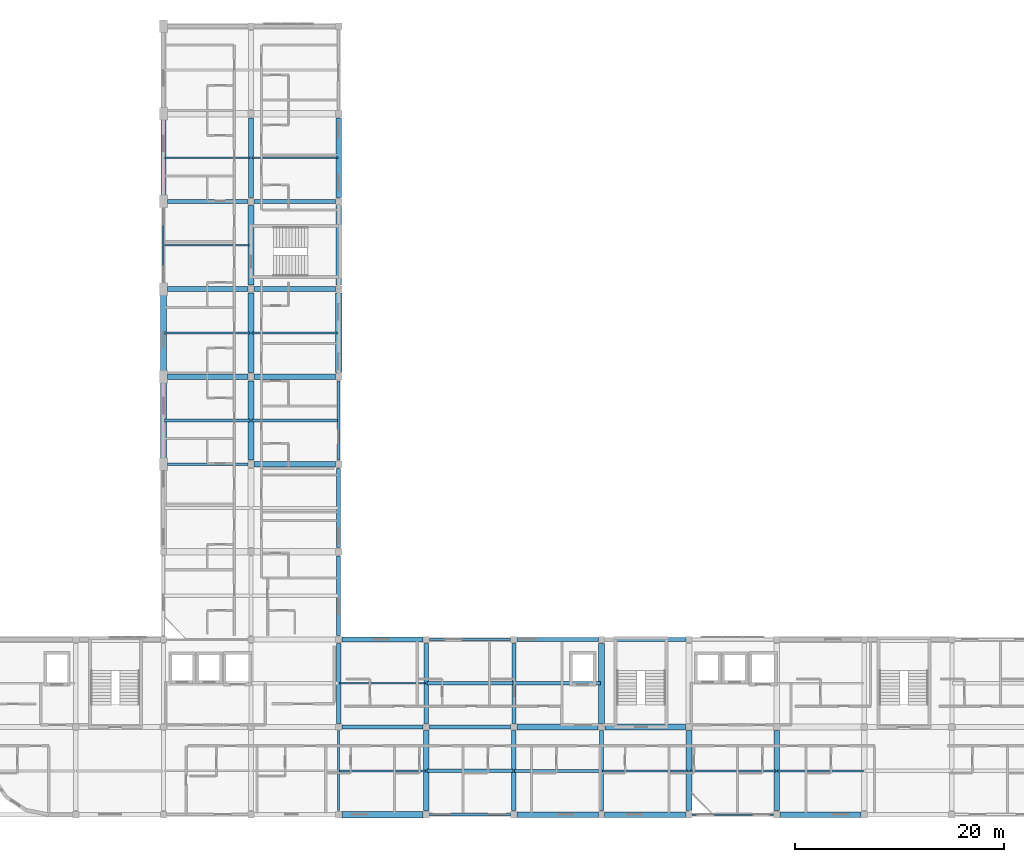
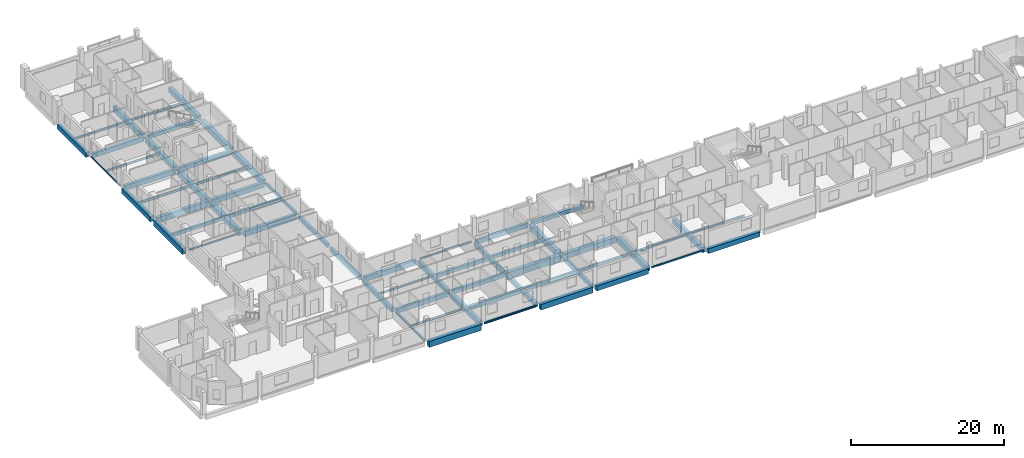
# One storey, part 3 of 25: 62 beams.
"""IFC4 building model written with IfcOpenShell, lengths in metres."""

from ifc_helpers import new_model, si_unit, derived_unit, direction, frame, origin, origin_2d, place, context, subcontext, project, spatial, rectangle, hollow_rectangle, i_section, extrude, material, material_profile, profile_set, type_object, element, save


model = new_model("IFC4")

# Units and contexts
model_context = context("Model", 3, precision=1e-05, world=origin(), true_north=direction((0.0, 1.0)))
body_context = subcontext(model_context, "Body", "Model", "MODEL_VIEW")
ifc_project = project(units=[si_unit("LENGTHUNIT", "METRE"), si_unit("AREAUNIT", "SQUARE_METRE"), si_unit("VOLUMEUNIT", "CUBIC_METRE"), si_unit("PLANEANGLEUNIT", "RADIAN"), si_unit("MASSUNIT", "GRAM", prefix="KILO"), derived_unit("THERMALTRANSMITTANCEUNIT", [(si_unit("POWERUNIT", "WATT"), 1), (si_unit("LENGTHUNIT", "METRE"), -2), (si_unit("THERMODYNAMICTEMPERATUREUNIT", "KELVIN"), -1)])], contexts=[model_context])

# Site, building, storey
site_placement = place(None, origin())
site = spatial("IfcSite", under=ifc_project, at=site_placement, CompositionType="ELEMENT")
building_placement = place(site_placement, origin())
building = spatial("IfcBuilding", under=site, at=building_placement, Name="Barrovel Congress Hotel", CompositionType="ELEMENT")
storey_placement = place(building_placement, frame((0.0, 0.0, 25.5)))
storey = spatial("IfcBuildingStorey", under=building, at=storey_placement, Name="L06", CompositionType="ELEMENT", Elevation=25.5)

# Beams
ifc_material_1 = material(Name="Concrete C40", Category="concrete")
ifc_material_profile_1 = material_profile(ifc_material_1, rectangle(XDim=0.25, YDim=0.5, at=origin_2d()), Name="RC250x500")
ifc_profile_set_1 = profile_set([ifc_material_profile_1], Name="Concrete C40")
beam_type_1 = type_object("IfcBeamType", Name="BM-RC250x500", PredefinedType="SPANDREL", material=ifc_profile_set_1)
beam_1_placement = place(storey_placement, frame((50.39990234375, 38.199951171875, -0.469970703125), z_axis=(0.0, 1.0, 0.0), x_axis=(-1.0, 0.0, 0.0)))
element("IfcBeam", 1, at=beam_1_placement, inside=storey, type_object=beam_type_1, Name="BMY:L06:50.4:37.8-46.2", PredefinedType="SPANDREL", context=body_context, shape_type="SweptSolid", body=[
    extrude(rectangle(XDim=0.25, YDim=0.5, at=origin_2d()), origin(), (0.0, 0.0, 1.0), 7.60009765625),
])
ifc_material_profile_2 = material_profile(ifc_material_1, rectangle(XDim=0.300048828125, YDim=0.5, at=origin_2d()), Name="RC300x500")
ifc_profile_set_2 = profile_set([ifc_material_profile_2], Name="Concrete C40")
beam_type_2 = type_object("IfcBeamType", Name="BM-RC300x500", PredefinedType="JOIST", material=ifc_profile_set_2)
for number, where, z_axis, x_axis, name in (
    (2, (33.679931640625, 42.0, -0.469970703125), (1.0, 0.0, 0.0), (0.0, 1.0, 0.0), "JST:L06:33.6:42.0"),
    (3, (42.080078125, 42.0, -0.469970703125), (1.0, 0.0, 0.0), (0.0, 1.0, 0.0), "JST:L06:42.0:42.0"),
    (4, (67.280029296875, 16.800048828125, -0.469970703125), (1.0, 0.0, 0.0), (0.0, 1.0, 0.0), "JST:L06:67.2:16.8"),
):
    element("IfcBeam", number, at=place(storey_placement, frame(where, z_axis=z_axis, x_axis=x_axis)), inside=storey, type_object=beam_type_2, Name=name, PredefinedType="JOIST", context=body_context, shape_type="SweptSolid", body=[
        extrude(rectangle(XDim=0.300048828125, YDim=0.5, at=origin_2d()), origin(), (0.0, 0.0, 1.0), 8.239990234375),
    ])
ifc_material_profile_3 = material_profile(ifc_material_1, rectangle(XDim=0.300048828125, YDim=0.60009765625, at=origin_2d()), Name="RC300x600")
ifc_profile_set_3 = profile_set([ifc_material_profile_3], Name="Concrete C40")
beam_type_3 = type_object("IfcBeamType", Name="BM-RC300x600", PredefinedType="JOIST", material=ifc_profile_set_3)
beam_2_placement = place(storey_placement, frame((67.280029296875, 8.39990234375, -0.52001953125), z_axis=(1.0, 0.0, 0.0), x_axis=(0.0, 1.0, 0.0)))
element("IfcBeam", 5, at=beam_2_placement, inside=storey, type_object=beam_type_3, Name="JST:L06:67.2:8.4", PredefinedType="JOIST", context=body_context, shape_type="SweptSolid", body=[
    extrude(rectangle(XDim=0.300048828125, YDim=0.60009765625, at=origin_2d()), origin(), (0.0, 0.0, 1.0), 8.239990234375),
])
ifc_material_profile_4 = material_profile(ifc_material_1, rectangle(XDim=0.35009765625, YDim=0.550048828125, at=origin_2d()), Name="RC350x550")
ifc_profile_set_4 = profile_set([ifc_material_profile_4], Name="Concrete C40")
beam_type_4 = type_object("IfcBeamType", Name="BM-RC350x550", PredefinedType="JOIST", material=ifc_profile_set_4)
beam_3_placement = place(storey_placement, frame((58.8798828125, 16.800048828125, -0.4951171875), z_axis=(1.0, 0.0, 0.0), x_axis=(0.0, 1.0, 0.0)))
element("IfcBeam", 6, at=beam_3_placement, inside=storey, type_object=beam_type_4, Name="JST:L06:58.8:16.8", PredefinedType="JOIST", context=body_context, shape_type="SweptSolid", body=[
    extrude(rectangle(XDim=0.35009765625, YDim=0.550048828125, at=origin_2d()), origin(), (0.0, 0.0, 1.0), 8.240234375),
])
ifc_material_profile_5 = material_profile(ifc_material_1, rectangle(XDim=0.35009765625, YDim=0.64990234375, at=origin_2d()), Name="RC350x650")
ifc_profile_set_5 = profile_set([ifc_material_profile_5], Name="Concrete C40")
beam_type_5 = type_object("IfcBeamType", Name="BM-RC350x650", PredefinedType="JOIST", material=ifc_profile_set_5)
beam_4_placement = place(storey_placement, frame((58.8798828125, 8.39990234375, -0.544921875), z_axis=(1.0, 0.0, 0.0), x_axis=(0.0, 1.0, 0.0)))
element("IfcBeam", 7, at=beam_4_placement, inside=storey, type_object=beam_type_5, Name="JST:L06:58.8:8.4", PredefinedType="JOIST", context=body_context, shape_type="SweptSolid", body=[
    extrude(rectangle(XDim=0.35009765625, YDim=0.64990234375, at=origin_2d()), origin(), (0.0, 0.0, 1.0), 8.240234375),
])
ifc_material_profile_6 = material_profile(ifc_material_1, rectangle(XDim=0.39990234375, YDim=0.60009765625, at=origin_2d()), Name="RC400x600")
ifc_profile_set_6 = profile_set([ifc_material_profile_6], Name="Concrete C40")
beam_type_6 = type_object("IfcBeamType", Name="BM-RC400x600", PredefinedType="BEAM", material=ifc_profile_set_6)
beam_5_placement = place(storey_placement, frame((59.125, 12.60009765625, -0.52001953125), z_axis=(1.0, 0.0, 0.0), x_axis=(0.0, 1.0, 0.0)))
element("IfcBeam", 8, at=beam_5_placement, inside=storey, type_object=beam_type_6, Name="BMX:L06:12.6:58.8-67.2", PredefinedType="BEAM", context=body_context, shape_type="SweptSolid", body=[
    extrude(rectangle(XDim=0.39990234375, YDim=0.60009765625, at=origin_2d()), origin(), (0.0, 0.0, 1.0), 7.75),
])
for number, where, z_axis, x_axis, name in (
    (9, (75.89990234375, 21.0, -0.52001953125), (1.0, 0.0, 0.0), (0.0, 1.0, 0.0), "BMX:L06:21.0:75.6-84.0"),
    (10, (42.300048828125, 63.0, -0.52001953125), (1.0, 0.0, 0.0), (0.0, 1.0, 0.0), "BMX:L06:63.0:42.0-50.4"),
):
    element("IfcBeam", number, at=place(storey_placement, frame(where, z_axis=z_axis, x_axis=x_axis)), inside=storey, type_object=beam_type_6, Name=name, PredefinedType="BEAM", context=body_context, shape_type="SweptSolid", body=[
        extrude(rectangle(XDim=0.39990234375, YDim=0.60009765625, at=origin_2d()), origin(), (0.0, 0.0, 1.0), 7.800048828125),
    ])
beam_6_placement = place(storey_placement, frame((50.39990234375, 29.800048828125, -0.52001953125), z_axis=(0.0, 1.0, 0.0), x_axis=(-1.0, 0.0, 0.0)))
element("IfcBeam", 11, at=beam_6_placement, inside=storey, type_object=beam_type_6, Name="BMY:L06:50.4:29.4-37.8", PredefinedType="BEAM", context=body_context, shape_type="SweptSolid", body=[
    extrude(rectangle(XDim=0.39990234375, YDim=0.60009765625, at=origin_2d()), origin(), (0.0, 0.0, 1.0), 7.599853515625),
])
beam_7_placement = place(storey_placement, frame((75.60009765625, 4.60009765625, -0.52001953125), z_axis=(0.0, 1.0, 0.0), x_axis=(-1.0, 0.0, 0.0)))
element("IfcBeam", 12, at=beam_7_placement, inside=storey, type_object=beam_type_6, Name="BMY:L06:75.6:4.2-12.6", PredefinedType="BEAM", context=body_context, shape_type="SweptSolid", body=[
    extrude(rectangle(XDim=0.39990234375, YDim=0.60009765625, at=origin_2d()), origin(), (0.0, 0.0, 1.0), 7.6748046875),
])
ifc_material_profile_7 = material_profile(ifc_material_1, rectangle(XDim=0.39990234375, YDim=0.699951171875, at=origin_2d()), Name="RC400x700")
ifc_profile_set_7 = profile_set([ifc_material_profile_7], Name="Concrete C40")
beam_type_7 = type_object("IfcBeamType", Name="BM-RC400x700", PredefinedType="BEAM", material=ifc_profile_set_7)
beam_8_placement = place(storey_placement, frame((50.72509765625, 12.60009765625, -0.570068359375), z_axis=(1.0, 0.0, 0.0), x_axis=(0.0, 1.0, 0.0)))
element("IfcBeam", 13, at=beam_8_placement, inside=storey, type_object=beam_type_7, Name="BMX:L06:12.6:50.4-58.8", PredefinedType="BEAM", context=body_context, shape_type="SweptSolid", body=[
    extrude(rectangle(XDim=0.39990234375, YDim=0.699951171875, at=origin_2d()), origin(), (0.0, 0.0, 1.0), 7.75),
])
beam_9_placement = place(storey_placement, frame((67.5, 21.0, -0.570068359375), z_axis=(1.0, 0.0, 0.0), x_axis=(0.0, 1.0, 0.0)))
element("IfcBeam", 14, at=beam_9_placement, inside=storey, type_object=beam_type_7, Name="BMX:L06:21.0:67.2-75.6", PredefinedType="BEAM", context=body_context, shape_type="SweptSolid", body=[
    extrude(rectangle(XDim=0.39990234375, YDim=0.699951171875, at=origin_2d()), origin(), (0.0, 0.0, 1.0), 7.800048828125),
])
beam_10_placement = place(storey_placement, frame((34.0, 63.0, -0.570068359375), z_axis=(1.0, 0.0, 0.0), x_axis=(0.0, 1.0, 0.0)))
element("IfcBeam", 15, at=beam_10_placement, inside=storey, type_object=beam_type_7, Name="BMX:L06:63.0:33.6-42.0", PredefinedType="BEAM", context=body_context, shape_type="SweptSolid", body=[
    extrude(rectangle(XDim=0.39990234375, YDim=0.699951171875, at=origin_2d()), origin(), (0.0, 0.0, 1.0), 7.699951171875),
])
beam_11_placement = place(storey_placement, frame((50.39990234375, 21.39990234375, -0.570068359375), z_axis=(0.0, 1.0, 0.0), x_axis=(-1.0, 0.0, 0.0)))
element("IfcBeam", 16, at=beam_11_placement, inside=storey, type_object=beam_type_7, Name="BMY:L06:50.4:21.0-29.4", PredefinedType="BEAM", context=body_context, shape_type="SweptSolid", body=[
    extrude(rectangle(XDim=0.39990234375, YDim=0.699951171875, at=origin_2d()), origin(), (0.0, 0.0, 1.0), 7.60009765625),
])
beam_12_placement = place(storey_placement, frame((67.199951171875, 12.925048828125, -0.570068359375), z_axis=(0.0, 1.0, 0.0), x_axis=(-1.0, 0.0, 0.0)))
element("IfcBeam", 17, at=beam_12_placement, inside=storey, type_object=beam_type_7, Name="BMY:L06:67.2:12.6-21.0", PredefinedType="BEAM", context=body_context, shape_type="SweptSolid", body=[
    extrude(rectangle(XDim=0.39990234375, YDim=0.699951171875, at=origin_2d()), origin(), (0.0, 0.0, 1.0), 7.675048828125),
])
ifc_material_profile_8 = material_profile(ifc_material_1, rectangle(XDim=0.449951171875, YDim=0.64990234375, at=origin_2d()), Name="RC450x650")
ifc_profile_set_8 = profile_set([ifc_material_profile_8], Name="Concrete C40")
beam_type_8 = type_object("IfcBeamType", Name="BM-RC450x650", PredefinedType="BEAM", material=ifc_profile_set_8)
beam_13_placement = place(storey_placement, frame((42.300048828125, 54.60009765625, -0.544921875), z_axis=(1.0, 0.0, 0.0), x_axis=(0.0, 1.0, 0.0)))
element("IfcBeam", 18, at=beam_13_placement, inside=storey, type_object=beam_type_8, Name="BMX:L06:54.6:42.0-50.4", PredefinedType="BEAM", context=body_context, shape_type="SweptSolid", body=[
    extrude(rectangle(XDim=0.449951171875, YDim=0.64990234375, at=origin_2d()), origin(), (0.0, 0.0, 1.0), 7.800048828125),
])
beam_14_placement = place(storey_placement, frame((50.39990234375, 12.925048828125, -0.544921875), z_axis=(0.0, 1.0, 0.0), x_axis=(-1.0, 0.0, 0.0)))
element("IfcBeam", 19, at=beam_14_placement, inside=storey, type_object=beam_type_8, Name="BMY:L06:50.4:12.6-21.0", PredefinedType="BEAM", context=body_context, shape_type="SweptSolid", body=[
    extrude(rectangle(XDim=0.449951171875, YDim=0.64990234375, at=origin_2d()), origin(), (0.0, 0.0, 1.0), 7.675048828125),
])
beam_15_placement = place(storey_placement, frame((67.199951171875, 4.60009765625, -0.544921875), z_axis=(0.0, 1.0, 0.0), x_axis=(-1.0, 0.0, 0.0)))
element("IfcBeam", 20, at=beam_15_placement, inside=storey, type_object=beam_type_8, Name="BMY:L06:67.2:4.2-12.6", PredefinedType="BEAM", context=body_context, shape_type="SweptSolid", body=[
    extrude(rectangle(XDim=0.449951171875, YDim=0.64990234375, at=origin_2d()), origin(), (0.0, 0.0, 1.0), 7.6748046875),
])
ifc_material_profile_9 = material_profile(ifc_material_1, rectangle(XDim=0.449951171875, YDim=0.75, at=origin_2d()), Name="RC450x750")
ifc_profile_set_9 = profile_set([ifc_material_profile_9], Name="Concrete C40")
beam_type_9 = type_object("IfcBeamType", Name="BM-RC450x750", PredefinedType="BEAM", material=ifc_profile_set_9)
beam_16_placement = place(storey_placement, frame((50.699951171875, 21.0, -0.594970703125), z_axis=(1.0, 0.0, 0.0), x_axis=(0.0, 1.0, 0.0)))
element("IfcBeam", 21, at=beam_16_placement, inside=storey, type_object=beam_type_9, Name="BMX:L06:21.0:50.4-58.8", PredefinedType="BEAM", context=body_context, shape_type="SweptSolid", body=[
    extrude(rectangle(XDim=0.449951171875, YDim=0.75, at=origin_2d()), origin(), (0.0, 0.0, 1.0), 7.800048828125),
])
beam_17_placement = place(storey_placement, frame((34.0, 54.60009765625, -0.594970703125), z_axis=(1.0, 0.0, 0.0), x_axis=(0.0, 1.0, 0.0)))
element("IfcBeam", 22, at=beam_17_placement, inside=storey, type_object=beam_type_9, Name="BMX:L06:54.6:33.6-42.0", PredefinedType="BEAM", context=body_context, shape_type="SweptSolid", body=[
    extrude(rectangle(XDim=0.449951171875, YDim=0.75, at=origin_2d()), origin(), (0.0, 0.0, 1.0), 7.699951171875),
])
beam_18_placement = place(storey_placement, frame((58.800048828125, 12.925048828125, -0.594970703125), z_axis=(0.0, 1.0, 0.0), x_axis=(-1.0, 0.0, 0.0)))
element("IfcBeam", 23, at=beam_18_placement, inside=storey, type_object=beam_type_9, Name="BMY:L06:58.8:12.6-21.0", PredefinedType="BEAM", context=body_context, shape_type="SweptSolid", body=[
    extrude(rectangle(XDim=0.449951171875, YDim=0.75, at=origin_2d()), origin(), (0.0, 0.0, 1.0), 7.675048828125),
])
ifc_material_profile_10 = material_profile(ifc_material_1, rectangle(XDim=0.5, YDim=0.75, at=origin_2d()), Name="RC500x750")
ifc_profile_set_10 = profile_set([ifc_material_profile_10], Name="Concrete C40")
beam_type_10 = type_object("IfcBeamType", Name="BM-RC500x750", PredefinedType="BEAM", material=ifc_profile_set_10)
for number, where, z_axis, x_axis, name in (
    (24, (92.699951171875, 4.199951171875, -0.594970703125), (1.0, 0.0, 0.0), (0.0, 1.0, 0.0), "BMX:L06:4.2:92.4-100.8"),
    (25, (42.300048828125, 46.199951171875, -0.594970703125), (1.0, 0.0, 0.0), (0.0, 1.0, 0.0), "BMX:L06:46.2:42.0-50.4"),
):
    element("IfcBeam", number, at=place(storey_placement, frame(where, z_axis=z_axis, x_axis=x_axis)), inside=storey, type_object=beam_type_10, Name=name, PredefinedType="BEAM", context=body_context, shape_type="SweptSolid", body=[
        extrude(rectangle(XDim=0.5, YDim=0.75, at=origin_2d()), origin(), (0.0, 0.0, 1.0), 7.800048828125),
    ])
beam_19_placement = place(storey_placement, frame((33.60009765625, 63.449951171875, -0.594970703125), z_axis=(0.0, 1.0, 0.0), x_axis=(-1.0, 0.0, 0.0)))
element("IfcBeam", 26, at=beam_19_placement, inside=storey, type_object=beam_type_10, Name="BMY:L06:33.6:63.0-71.4", PredefinedType="BEAM", context=body_context, shape_type="SweptSolid", body=[
    extrude(rectangle(XDim=0.5, YDim=0.75, at=origin_2d()), origin(), (0.0, 0.0, 1.0), 7.5),
])
beam_20_placement = place(storey_placement, frame((58.800048828125, 4.60009765625, -0.594970703125), z_axis=(0.0, 1.0, 0.0), x_axis=(-1.0, 0.0, 0.0)))
element("IfcBeam", 27, at=beam_20_placement, inside=storey, type_object=beam_type_10, Name="BMY:L06:58.8:4.2-12.6", PredefinedType="BEAM", context=body_context, shape_type="SweptSolid", body=[
    extrude(rectangle(XDim=0.5, YDim=0.75, at=origin_2d()), origin(), (0.0, 0.0, 1.0), 7.6748046875),
])
ifc_material_profile_11 = material_profile(ifc_material_1, rectangle(XDim=0.5, YDim=0.85009765625, at=origin_2d()), Name="RC500x850")
ifc_profile_set_11 = profile_set([ifc_material_profile_11], Name="Concrete C40")
beam_type_11 = type_object("IfcBeamType", Name="BM-RC500x850", PredefinedType="BEAM", material=ifc_profile_set_11)
beam_21_placement = place(storey_placement, frame((34.0, 46.199951171875, -0.64501953125), z_axis=(1.0, 0.0, 0.0), x_axis=(0.0, 1.0, 0.0)))
element("IfcBeam", 28, at=beam_21_placement, inside=storey, type_object=beam_type_11, Name="BMX:L06:46.2:33.6-42.0", PredefinedType="BEAM", context=body_context, shape_type="SweptSolid", body=[
    extrude(rectangle(XDim=0.5, YDim=0.85009765625, at=origin_2d()), origin(), (0.0, 0.0, 1.0), 7.699951171875),
])
beam_22_placement = place(storey_placement, frame((42.0, 63.39990234375, -0.64501953125), z_axis=(0.0, 1.0, 0.0), x_axis=(-1.0, 0.0, 0.0)))
element("IfcBeam", 29, at=beam_22_placement, inside=storey, type_object=beam_type_11, Name="BMY:L06:42.0:63.0-71.4", PredefinedType="BEAM", context=body_context, shape_type="SweptSolid", body=[
    extrude(rectangle(XDim=0.5, YDim=0.85009765625, at=origin_2d()), origin(), (0.0, 0.0, 1.0), 7.60009765625),
])
ifc_material_profile_12 = material_profile(ifc_material_1, rectangle(XDim=0.550048828125, YDim=0.800048828125, at=origin_2d()), Name="RC550x800")
ifc_profile_set_12 = profile_set([ifc_material_profile_12], Name="Concrete C40")
beam_type_12 = type_object("IfcBeamType", Name="BM-RC550x800", PredefinedType="BEAM", material=ifc_profile_set_12)
for number, where, z_axis, x_axis, name in (
    (30, (75.89990234375, 4.199951171875, -0.6201171875), (1.0, 0.0, 0.0), (0.0, 1.0, 0.0), "BMX:L06:4.2:75.6-84.0"),
    (31, (42.300048828125, 37.800048828125, -0.6201171875), (1.0, 0.0, 0.0), (0.0, 1.0, 0.0), "BMX:L06:37.8:42.0-50.4"),
):
    element("IfcBeam", number, at=place(storey_placement, frame(where, z_axis=z_axis, x_axis=x_axis)), inside=storey, type_object=beam_type_12, Name=name, PredefinedType="BEAM", context=body_context, shape_type="SweptSolid", body=[
        extrude(rectangle(XDim=0.550048828125, YDim=0.800048828125, at=origin_2d()), origin(), (0.0, 0.0, 1.0), 7.800048828125),
    ])
beam_23_placement = place(storey_placement, frame((33.60009765625, 46.64990234375, -0.6201171875), z_axis=(0.0, 1.0, 0.0), x_axis=(-1.0, 0.0, 0.0)))
element("IfcBeam", 32, at=beam_23_placement, inside=storey, type_object=beam_type_12, Name="BMY:L06:33.6:46.2-54.6", PredefinedType="BEAM", context=body_context, shape_type="SweptSolid", body=[
    extrude(rectangle(XDim=0.550048828125, YDim=0.800048828125, at=origin_2d()), origin(), (0.0, 0.0, 1.0), 7.5),
])
for number, where, z_axis, x_axis, name in (
    (33, (42.0, 55.0, -0.6201171875), (0.0, 1.0, 0.0), (-1.0, 0.0, 0.0), "BMY:L06:42.0:54.6-63.0"),
    (34, (50.39990234375, 63.39990234375, -0.6201171875), (0.0, 1.0, 0.0), (-1.0, 0.0, 0.0), "BMY:L06:50.4:63.0-71.4"),
):
    element("IfcBeam", number, at=place(storey_placement, frame(where, z_axis=z_axis, x_axis=x_axis)), inside=storey, type_object=beam_type_12, Name=name, PredefinedType="BEAM", context=body_context, shape_type="SweptSolid", body=[
        extrude(rectangle(XDim=0.550048828125, YDim=0.800048828125, at=origin_2d()), origin(), (0.0, 0.0, 1.0), 7.60009765625),
    ])
beam_24_placement = place(storey_placement, frame((92.39990234375, 4.60009765625, -0.6201171875), z_axis=(0.0, 1.0, 0.0), x_axis=(-1.0, 0.0, 0.0)))
element("IfcBeam", 35, at=beam_24_placement, inside=storey, type_object=beam_type_12, Name="BMY:L06:92.4:4.2-12.6", PredefinedType="BEAM", context=body_context, shape_type="SweptSolid", body=[
    extrude(rectangle(XDim=0.550048828125, YDim=0.800048828125, at=origin_2d()), origin(), (0.0, 0.0, 1.0), 7.6748046875),
])
ifc_material_profile_13 = material_profile(ifc_material_1, rectangle(XDim=0.550048828125, YDim=0.89990234375, at=origin_2d()), Name="RC550x900")
ifc_profile_set_13 = profile_set([ifc_material_profile_13], Name="Concrete C40")
beam_type_13 = type_object("IfcBeamType", Name="BM-RC550x900", PredefinedType="BEAM", material=ifc_profile_set_13)
beam_25_placement = place(storey_placement, frame((67.5, 4.199951171875, -0.669921875), z_axis=(1.0, 0.0, 0.0), x_axis=(0.0, 1.0, 0.0)))
element("IfcBeam", 36, at=beam_25_placement, inside=storey, type_object=beam_type_13, Name="BMX:L06:4.2:67.2-75.6", PredefinedType="BEAM", context=body_context, shape_type="SweptSolid", body=[
    extrude(rectangle(XDim=0.550048828125, YDim=0.89990234375, at=origin_2d()), origin(), (0.0, 0.0, 1.0), 7.800048828125),
])
beam_26_placement = place(storey_placement, frame((33.60009765625, 38.25, -0.669921875), z_axis=(0.0, 1.0, 0.0), x_axis=(-1.0, 0.0, 0.0)))
element("IfcBeam", 37, at=beam_26_placement, inside=storey, type_object=beam_type_13, Name="BMY:L06:33.6:37.8-46.2", PredefinedType="BEAM", context=body_context, shape_type="SweptSolid", body=[
    extrude(rectangle(XDim=0.550048828125, YDim=0.89990234375, at=origin_2d()), origin(), (0.0, 0.0, 1.0), 7.5),
])
beam_27_placement = place(storey_placement, frame((42.0, 46.60009765625, -0.669921875), z_axis=(0.0, 1.0, 0.0), x_axis=(-1.0, 0.0, 0.0)))
element("IfcBeam", 38, at=beam_27_placement, inside=storey, type_object=beam_type_13, Name="BMY:L06:42.0:46.2-54.6", PredefinedType="BEAM", context=body_context, shape_type="SweptSolid", body=[
    extrude(rectangle(XDim=0.550048828125, YDim=0.89990234375, at=origin_2d()), origin(), (0.0, 0.0, 1.0), 7.599853515625),
])
beam_28_placement = place(storey_placement, frame((50.39990234375, 55.0, -0.669921875), z_axis=(0.0, 1.0, 0.0), x_axis=(-1.0, 0.0, 0.0)))
element("IfcBeam", 39, at=beam_28_placement, inside=storey, type_object=beam_type_13, Name="BMY:L06:50.4:54.6-63.0", PredefinedType="BEAM", context=body_context, shape_type="SweptSolid", body=[
    extrude(rectangle(XDim=0.550048828125, YDim=0.89990234375, at=origin_2d()), origin(), (0.0, 0.0, 1.0), 7.60009765625),
])
ifc_material_profile_14 = material_profile(ifc_material_1, rectangle(XDim=0.60009765625, YDim=0.85009765625, at=origin_2d()), Name="RC600x850")
ifc_profile_set_14 = profile_set([ifc_material_profile_14], Name="Concrete C40")
beam_type_14 = type_object("IfcBeamType", Name="BM-RC600x850", PredefinedType="BEAM", material=ifc_profile_set_14)
beam_29_placement = place(storey_placement, frame((75.925048828125, 12.60009765625, -0.64501953125), z_axis=(1.0, 0.0, 0.0), x_axis=(0.0, 1.0, 0.0)))
element("IfcBeam", 40, at=beam_29_placement, inside=storey, type_object=beam_type_14, Name="BMX:L06:12.6:75.6-84.0", PredefinedType="BEAM", context=body_context, shape_type="SweptSolid", body=[
    extrude(rectangle(XDim=0.60009765625, YDim=0.85009765625, at=origin_2d()), origin(), (0.0, 0.0, 1.0), 7.75),
])
beam_30_placement = place(storey_placement, frame((42.0, 38.199951171875, -0.64501953125), z_axis=(0.0, 1.0, 0.0), x_axis=(-1.0, 0.0, 0.0)))
element("IfcBeam", 41, at=beam_30_placement, inside=storey, type_object=beam_type_14, Name="BMY:L06:42.0:37.8-46.2", PredefinedType="BEAM", context=body_context, shape_type="SweptSolid", body=[
    extrude(rectangle(XDim=0.60009765625, YDim=0.85009765625, at=origin_2d()), origin(), (0.0, 0.0, 1.0), 7.60009765625),
])
beam_31_placement = place(storey_placement, frame((50.39990234375, 46.60009765625, -0.64501953125), z_axis=(0.0, 1.0, 0.0), x_axis=(-1.0, 0.0, 0.0)))
element("IfcBeam", 42, at=beam_31_placement, inside=storey, type_object=beam_type_14, Name="BMY:L06:50.4:46.2-54.6", PredefinedType="BEAM", context=body_context, shape_type="SweptSolid", body=[
    extrude(rectangle(XDim=0.60009765625, YDim=0.85009765625, at=origin_2d()), origin(), (0.0, 0.0, 1.0), 7.599853515625),
])
beam_32_placement = place(storey_placement, frame((84.0, 4.60009765625, -0.64501953125), z_axis=(0.0, 1.0, 0.0), x_axis=(-1.0, 0.0, 0.0)))
element("IfcBeam", 43, at=beam_32_placement, inside=storey, type_object=beam_type_14, Name="BMY:L06:84.0:4.2-12.6", PredefinedType="BEAM", context=body_context, shape_type="SweptSolid", body=[
    extrude(rectangle(XDim=0.60009765625, YDim=0.85009765625, at=origin_2d()), origin(), (0.0, 0.0, 1.0), 7.6748046875),
])
ifc_material_profile_15 = material_profile(ifc_material_1, rectangle(XDim=0.60009765625, YDim=0.949951171875, at=origin_2d()), Name="RC600x950")
ifc_profile_set_15 = profile_set([ifc_material_profile_15], Name="Concrete C40")
beam_type_15 = type_object("IfcBeamType", Name="BM-RC600x950", PredefinedType="BEAM", material=ifc_profile_set_15)
beam_33_placement = place(storey_placement, frame((50.699951171875, 4.199951171875, -0.695068359375), z_axis=(1.0, 0.0, 0.0), x_axis=(0.0, 1.0, 0.0)))
element("IfcBeam", 44, at=beam_33_placement, inside=storey, type_object=beam_type_15, Name="BMX:L06:4.2:50.4-58.8", PredefinedType="BEAM", context=body_context, shape_type="SweptSolid", body=[
    extrude(rectangle(XDim=0.60009765625, YDim=0.949951171875, at=origin_2d()), origin(), (0.0, 0.0, 1.0), 7.800048828125),
])
beam_34_placement = place(storey_placement, frame((67.52490234375, 12.60009765625, -0.695068359375), z_axis=(1.0, 0.0, 0.0), x_axis=(0.0, 1.0, 0.0)))
element("IfcBeam", 45, at=beam_34_placement, inside=storey, type_object=beam_type_15, Name="BMX:L06:12.6:67.2-75.6", PredefinedType="BEAM", context=body_context, shape_type="SweptSolid", body=[
    extrude(rectangle(XDim=0.60009765625, YDim=0.949951171875, at=origin_2d()), origin(), (0.0, 0.0, 1.0), 7.75),
])
beam_35_placement = place(storey_placement, frame((75.60009765625, 12.925048828125, -0.695068359375), z_axis=(0.0, 1.0, 0.0), x_axis=(-1.0, 0.0, 0.0)))
element("IfcBeam", 46, at=beam_35_placement, inside=storey, type_object=beam_type_15, Name="BMY:L06:75.6:12.6-21.0", PredefinedType="BEAM", context=body_context, shape_type="SweptSolid", body=[
    extrude(rectangle(XDim=0.60009765625, YDim=0.949951171875, at=origin_2d()), origin(), (0.0, 0.0, 1.0), 7.675048828125),
])
ifc_material_2 = material(Name="Steel ASTM A500 Grade C", Category="steel")
ifc_material_profile_16 = material_profile(ifc_material_2, hollow_rectangle(XDim=0.15234375, YDim=0.25390625, WallThickness=0.0087890625, InnerFilletRadius=0.0087890625, OuterFilletRadius=0.017578125, at=origin_2d()), Name="HSS254x152x9.5")
ifc_profile_set_16 = profile_set([ifc_material_profile_16], Name="Steel ASTM A500 Grade C")
beam_type_16 = type_object("IfcBeamType", Name="SBM-HSS254x152x9.5", PredefinedType="SPANDREL", material=ifc_profile_set_16)
beam_36_placement = place(storey_placement, frame((84.300048828125, 4.199951171875, -0.346923828125), z_axis=(1.0, 0.0, 0.0), x_axis=(0.0, 1.0, 0.0)))
element("IfcBeam", 47, at=beam_36_placement, inside=storey, type_object=beam_type_16, Name="BMX:L06:4.2:84.0-92.4", PredefinedType="SPANDREL", context=body_context, shape_type="SweptSolid", body=[
    extrude(hollow_rectangle(XDim=0.15234375, YDim=0.25390625, WallThickness=0.0087890625, InnerFilletRadius=0.0087890625, OuterFilletRadius=0.017578125, at=origin_2d()), origin(), (0.0, 0.0, 1.0), 7.800048828125),
])
beam_37_placement = place(storey_placement, frame((33.60009765625, 55.050048828125, -0.346923828125), z_axis=(0.0, 1.0, 0.0), x_axis=(-1.0, 0.0, 0.0)))
element("IfcBeam", 48, at=beam_37_placement, inside=storey, type_object=beam_type_16, Name="BMY:L06:33.6:54.6-63.0", PredefinedType="SPANDREL", context=body_context, shape_type="SweptSolid", body=[
    extrude(hollow_rectangle(XDim=0.15234375, YDim=0.25390625, WallThickness=0.0087890625, InnerFilletRadius=0.0087890625, OuterFilletRadius=0.017578125, at=origin_2d()), origin(), (0.0, 0.0, 1.0), 7.5),
])
ifc_material_3 = material(Name="Steel ASTM A992 Grade 50", Category="steel")
ifc_material_profile_17 = material_profile(ifc_material_3, i_section(OverallWidth=0.201904296875, OverallDepth=0.2470703125, WebThickness=0.00732421875, FlangeThickness=0.010986328125, FilletRadius=0.011962890625, at=origin_2d()), Name="W250x49")
ifc_profile_set_17 = profile_set([ifc_material_profile_17], Name="Steel ASTM A992 Grade 50")
beam_type_17 = type_object("IfcBeamType", Name="SBM-W250x49", PredefinedType="SPANDREL", material=ifc_profile_set_17)
beam_38_placement = place(storey_placement, frame((59.10009765625, 21.0, -0.343505859375), z_axis=(1.0, 0.0, 0.0), x_axis=(0.0, 1.0, 0.0)))
element("IfcBeam", 49, at=beam_38_placement, inside=storey, type_object=beam_type_17, Name="BMX:L06:21.0:58.8-67.2", PredefinedType="SPANDREL", context=body_context, shape_type="SweptSolid", body=[
    extrude(i_section(OverallWidth=0.201904296875, OverallDepth=0.2470703125, WebThickness=0.00732421875, FlangeThickness=0.010986328125, FilletRadius=0.011962890625, at=origin_2d()), origin(), (0.0, 0.0, 1.0), 7.7998046875),
])
beam_39_placement = place(storey_placement, frame((34.0, 37.800048828125, -0.343505859375), z_axis=(1.0, 0.0, 0.0), x_axis=(0.0, 1.0, 0.0)))
element("IfcBeam", 50, at=beam_39_placement, inside=storey, type_object=beam_type_17, Name="BMX:L06:37.8:33.6-42.0", PredefinedType="SPANDREL", context=body_context, shape_type="SweptSolid", body=[
    extrude(i_section(OverallWidth=0.201904296875, OverallDepth=0.2470703125, WebThickness=0.00732421875, FlangeThickness=0.010986328125, FilletRadius=0.011962890625, at=origin_2d()), origin(), (0.0, 0.0, 1.0), 7.699951171875),
])
ifc_material_profile_18 = material_profile(ifc_material_3, i_section(OverallWidth=0.1650390625, OverallDepth=0.31005859375, WebThickness=0.005859375, FlangeThickness=0.009765625, FilletRadius=0.010986328125, at=origin_2d()), Name="W310x39")
ifc_profile_set_18 = profile_set([ifc_material_profile_18], Name="Steel ASTM A992 Grade 50")
beam_type_18 = type_object("IfcBeamType", Name="SBM-W310x39", PredefinedType="JOIST", material=ifc_profile_set_18)
beam_40_placement = place(storey_placement, frame((50.47998046875, 16.800048828125, -0.375), z_axis=(1.0, 0.0, 0.0), x_axis=(0.0, 1.0, 0.0)))
element("IfcBeam", 51, at=beam_40_placement, inside=storey, type_object=beam_type_18, Name="JST:L06:50.4:16.8", PredefinedType="JOIST", context=body_context, shape_type="SweptSolid", body=[
    extrude(i_section(OverallWidth=0.1650390625, OverallDepth=0.31005859375, WebThickness=0.005859375, FlangeThickness=0.009765625, FilletRadius=0.010986328125, at=origin_2d()), origin(), (0.0, 0.0, 1.0), 8.239990234375),
])
ifc_material_profile_19 = material_profile(ifc_material_3, i_section(OverallWidth=0.1669921875, OverallDepth=0.31689453125, WebThickness=0.007568359375, FlangeThickness=0.01318359375, FilletRadius=0.010986328125, at=origin_2d()), Name="W310x52")
ifc_profile_set_19 = profile_set([ifc_material_profile_19], Name="Steel ASTM A992 Grade 50")
beam_type_19 = type_object("IfcBeamType", Name="SBM-W310x52", PredefinedType="JOIST", material=ifc_profile_set_19)
for number, where, z_axis, x_axis, name in (
    (52, (50.47998046875, 8.39990234375, -0.37841796875), (1.0, 0.0, 0.0), (0.0, 1.0, 0.0), "JST:L06:50.4:8.4"),
    (53, (92.47998046875, 8.39990234375, -0.37841796875), (1.0, 0.0, 0.0), (0.0, 1.0, 0.0), "JST:L06:92.4:8.4"),
):
    element("IfcBeam", number, at=place(storey_placement, frame(where, z_axis=z_axis, x_axis=x_axis)), inside=storey, type_object=beam_type_19, Name=name, PredefinedType="JOIST", context=body_context, shape_type="SweptSolid", body=[
        extrude(i_section(OverallWidth=0.1669921875, OverallDepth=0.31689453125, WebThickness=0.007568359375, FlangeThickness=0.01318359375, FilletRadius=0.010986328125, at=origin_2d()), origin(), (0.0, 0.0, 1.0), 8.239990234375),
    ])
ifc_material_profile_20 = material_profile(ifc_material_3, i_section(OverallWidth=0.205078125, OverallDepth=0.31005859375, WebThickness=0.009521484375, FlangeThickness=0.016357421875, FilletRadius=0.012939453125, at=origin_2d()), Name="W310x74")
ifc_profile_set_20 = profile_set([ifc_material_profile_20], Name="Steel ASTM A992 Grade 50")
beam_type_20 = type_object("IfcBeamType", Name="SBM-W310x74", PredefinedType="SPANDREL", material=ifc_profile_set_20)
beam_41_placement = place(storey_placement, frame((59.10009765625, 4.199951171875, -0.375), z_axis=(1.0, 0.0, 0.0), x_axis=(0.0, 1.0, 0.0)))
element("IfcBeam", 54, at=beam_41_placement, inside=storey, type_object=beam_type_20, Name="BMX:L06:4.2:58.8-67.2", PredefinedType="SPANDREL", context=body_context, shape_type="SweptSolid", body=[
    extrude(i_section(OverallWidth=0.205078125, OverallDepth=0.31005859375, WebThickness=0.009521484375, FlangeThickness=0.016357421875, FilletRadius=0.012939453125, at=origin_2d()), origin(), (0.0, 0.0, 1.0), 7.7998046875),
])
beam_42_placement = place(storey_placement, frame((50.39990234375, 4.60009765625, -0.375), z_axis=(0.0, 1.0, 0.0), x_axis=(-1.0, 0.0, 0.0)))
element("IfcBeam", 55, at=beam_42_placement, inside=storey, type_object=beam_type_20, Name="BMY:L06:50.4:4.2-12.6", PredefinedType="SPANDREL", context=body_context, shape_type="SweptSolid", body=[
    extrude(i_section(OverallWidth=0.205078125, OverallDepth=0.31005859375, WebThickness=0.009521484375, FlangeThickness=0.016357421875, FilletRadius=0.012939453125, at=origin_2d()), origin(), (0.0, 0.0, 1.0), 7.6748046875),
])
ifc_material_profile_21 = material_profile(ifc_material_3, i_section(OverallWidth=0.1708984375, OverallDepth=0.35205078125, WebThickness=0.0068359375, FlangeThickness=0.009765625, FilletRadius=0.011962890625, at=origin_2d()), Name="W360x44")
ifc_profile_set_21 = profile_set([ifc_material_profile_21], Name="Steel ASTM A992 Grade 50")
beam_type_21 = type_object("IfcBeamType", Name="SBM-W360x44", PredefinedType="JOIST", material=ifc_profile_set_21)
beam_43_placement = place(storey_placement, frame((33.679931640625, 67.199951171875, -0.39599609375), z_axis=(1.0, 0.0, 0.0), x_axis=(0.0, 1.0, 0.0)))
element("IfcBeam", 56, at=beam_43_placement, inside=storey, type_object=beam_type_21, Name="JST:L06:33.6:67.2", PredefinedType="JOIST", context=body_context, shape_type="SweptSolid", body=[
    extrude(i_section(OverallWidth=0.1708984375, OverallDepth=0.35205078125, WebThickness=0.0068359375, FlangeThickness=0.009765625, FilletRadius=0.011962890625, at=origin_2d()), origin(), (0.0, 0.0, 1.0), 8.239990234375),
])
ifc_material_profile_22 = material_profile(ifc_material_3, i_section(OverallWidth=0.172119140625, OverallDepth=0.35791015625, WebThickness=0.0078125, FlangeThickness=0.01318359375, FilletRadius=0.011962890625, at=origin_2d()), Name="W360x57")
ifc_profile_set_22 = profile_set([ifc_material_profile_22], Name="Steel ASTM A992 Grade 50")
beam_type_22 = type_object("IfcBeamType", Name="SBM-W360x57", PredefinedType="JOIST", material=ifc_profile_set_22)
for number, where, z_axis, x_axis, name in (
    (57, (33.679931640625, 58.800048828125, -0.39892578125), (1.0, 0.0, 0.0), (0.0, 1.0, 0.0), "JST:L06:33.6:58.8"),
    (58, (42.080078125, 67.199951171875, -0.39892578125), (1.0, 0.0, 0.0), (0.0, 1.0, 0.0), "JST:L06:42.0:67.2"),
    (59, (84.080078125, 8.39990234375, -0.39892578125), (1.0, 0.0, 0.0), (0.0, 1.0, 0.0), "JST:L06:84.0:8.4"),
):
    element("IfcBeam", number, at=place(storey_placement, frame(where, z_axis=z_axis, x_axis=x_axis)), inside=storey, type_object=beam_type_22, Name=name, PredefinedType="JOIST", context=body_context, shape_type="SweptSolid", body=[
        extrude(i_section(OverallWidth=0.172119140625, OverallDepth=0.35791015625, WebThickness=0.0078125, FlangeThickness=0.01318359375, FilletRadius=0.011962890625, at=origin_2d()), origin(), (0.0, 0.0, 1.0), 8.239990234375),
    ])
ifc_material_profile_23 = material_profile(ifc_material_3, i_section(OverallWidth=0.177001953125, OverallDepth=0.403076171875, WebThickness=0.007568359375, FlangeThickness=0.010986328125, FilletRadius=0.011962890625, at=origin_2d()), Name="W410x53")
ifc_profile_set_23 = profile_set([ifc_material_profile_23], Name="Steel ASTM A992 Grade 50")
beam_type_23 = type_object("IfcBeamType", Name="SBM-W410x53", PredefinedType="JOIST", material=ifc_profile_set_23)
for number, where, z_axis, x_axis, name in (
    (60, (33.679931640625, 50.39990234375, -0.42138671875), (1.0, 0.0, 0.0), (0.0, 1.0, 0.0), "JST:L06:33.6:50.4"),
    (61, (42.080078125, 50.39990234375, -0.42138671875), (1.0, 0.0, 0.0), (0.0, 1.0, 0.0), "JST:L06:42.0:50.4"),
    (62, (75.679931640625, 8.39990234375, -0.42138671875), (1.0, 0.0, 0.0), (0.0, 1.0, 0.0), "JST:L06:75.6:8.4"),
):
    element("IfcBeam", number, at=place(storey_placement, frame(where, z_axis=z_axis, x_axis=x_axis)), inside=storey, type_object=beam_type_23, Name=name, PredefinedType="JOIST", context=body_context, shape_type="SweptSolid", body=[
        extrude(i_section(OverallWidth=0.177001953125, OverallDepth=0.403076171875, WebThickness=0.007568359375, FlangeThickness=0.010986328125, FilletRadius=0.011962890625, at=origin_2d()), origin(), (0.0, 0.0, 1.0), 8.239990234375),
    ])

save(model, "model.ifc")
